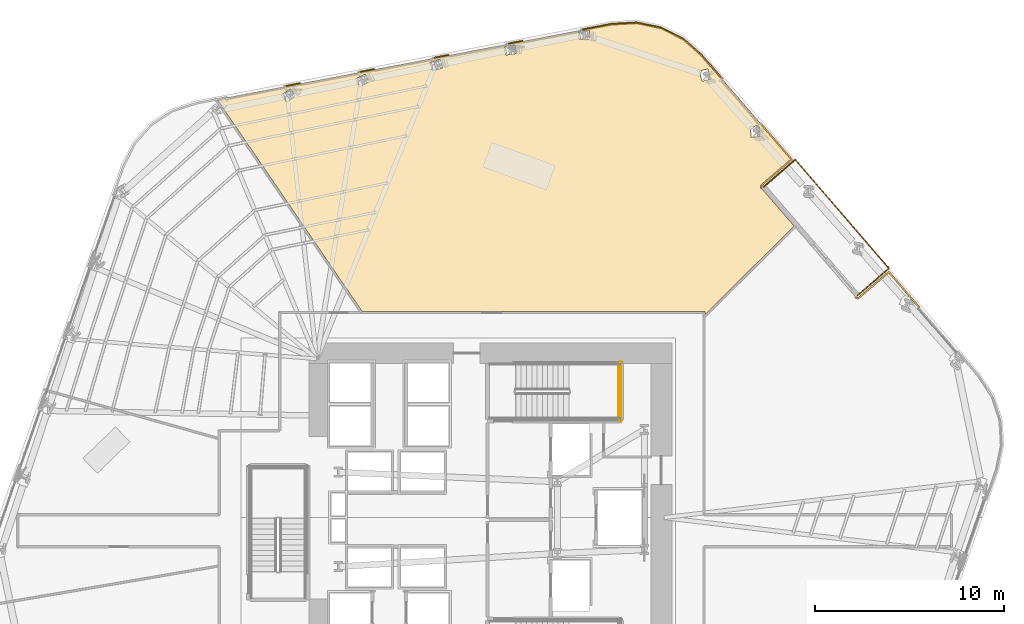
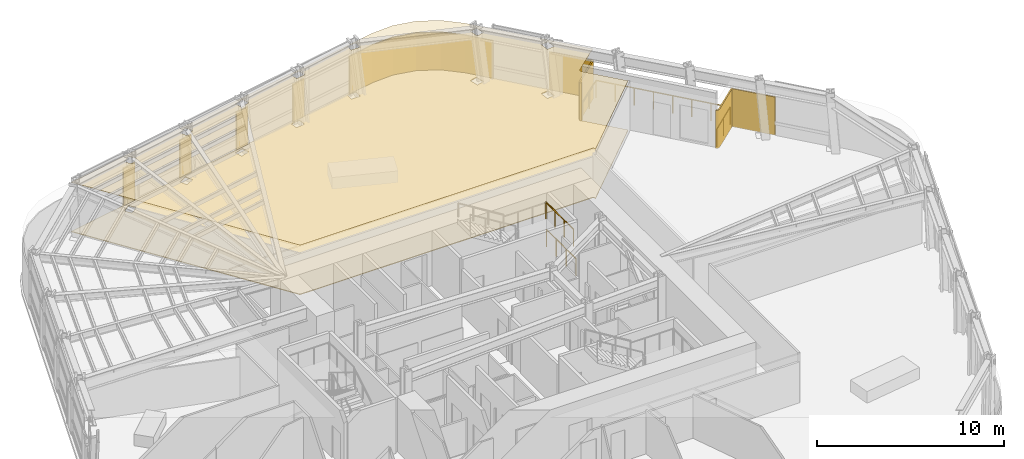
# One storey, part 17 of 18: 9 coverings, 5 railings.
"""IFC4 building model written with IfcOpenShell, lengths in metres."""

from ifc_helpers import new_model, si_unit, direction, frame, origin, origin_2d, place, context, subcontext, project, spatial, polyline, circle, outline, extrude, material, layer, layer_set, type_object, element, save


model = new_model("IFC4")

# Units and contexts
model_context = context("Model", 3, precision=1e-05, world=origin(), true_north=direction((0.0, 1.0)))
body_context = subcontext(model_context, "Body", "Model", "MODEL_VIEW")
ifc_project = project(units=[si_unit("LENGTHUNIT", "METRE"), si_unit("AREAUNIT", "SQUARE_METRE"), si_unit("VOLUMEUNIT", "CUBIC_METRE"), si_unit("PLANEANGLEUNIT", "RADIAN"), si_unit("MASSUNIT", "GRAM", prefix="KILO")], contexts=[model_context])

# Site, building, storey
site_placement = place(None, origin())
site = spatial("IfcSite", under=ifc_project, at=site_placement, CompositionType="ELEMENT")
building_placement = place(site_placement, origin())
building = spatial("IfcBuilding", under=site, at=building_placement, Name="Valkerne Bourse Tower", CompositionType="ELEMENT")
storey_placement = place(building_placement, frame((0.0, 0.0, 69.60009765625)))
storey = spatial("IfcBuildingStorey", under=building, at=storey_placement, Name="L17", CompositionType="ELEMENT", Elevation=69.60009765625)

# Coverings
ifc_material_1 = material(Name="Mineral Fiber Acoustic Ceiling Tile", Category="acoustic")
ifc_layer_1 = layer(ifc_material_1, 0.02490234375)
ifc_layer_set_1 = layer_set([ifc_layer_1], Name="Mineral Fiber Acoustic Ceiling Tile")
covering_type_1 = type_object("IfcCoveringType", Name="COV-CEIL-ACT", PredefinedType="CEILING", material=ifc_layer_set_1)
covering_1_placement = place(storey_placement, frame((0.0, 0.0, 3.22998046875)))
element("IfcCovering", 1, at=covering_1_placement, inside=storey, type_object=covering_type_1, Name="L17 Suspended Ceiling 09", PredefinedType="CEILING", context=body_context, shape_type="SweptSolid", body=[
    extrude(outline(polyline([(55.827392578125, 52.92333984375), (57.00634765625, 52.33056640625), (57.998779296875, 51.4462890625), (62.732421875, 45.96240234375), (61.175537109375, 44.618896484375), (61.14111328125, 44.57470703125), (61.1259765625, 44.506591796875), (61.13818359375, 44.45166015625), (61.160888671875, 44.416015625), (62.880126953125, 42.42431640625), (58.168701171875, 37.755126953125), (58.1650390625, 37.873779296875), (58.140869140625, 37.906005859375), (58.1005859375, 37.9189453125), (40.002685546875, 37.9189453125), (32.33251953125, 49.132080078125), (53.20849609375, 53.114501953125), (54.535400390625, 53.19091796875), (55.827392578125, 52.92333984375)]), holes=[polyline([(36.0205078125, 48.993896484375), (36.468017578125, 49.3203125), (36.198974609375, 49.6904296875), (36.19580078125, 49.68896484375), (35.748291015625, 49.362548828125), (36.017333984375, 48.992431640625), (36.0205078125, 48.993896484375)]), polyline([(39.880615234375, 49.81396484375), (40.374755859375, 50.064208984375), (40.168701171875, 50.47265625), (40.165283203125, 50.4716796875), (39.671142578125, 50.221435546875), (39.877197265625, 49.81298828125), (39.880615234375, 49.81396484375)]), polyline([(44.271484375, 50.80859375), (44.135986328125, 51.24560546875), (44.132568359375, 51.2451171875), (43.603759765625, 51.080078125), (43.739501953125, 50.64306640625), (43.742919921875, 50.6435546875), (44.271484375, 50.80859375)]), polyline([(48.16015625, 51.55810546875), (48.096435546875, 52.01123046875), (48.093017578125, 52.01123046875), (47.544677734375, 51.933349609375), (47.608154296875, 51.480224609375), (47.61181640625, 51.47998046875), (48.16015625, 51.55810546875)]), polyline([(52.048095703125, 52.773193359375), (52.044189453125, 52.77392578125), (51.490966796875, 52.7783203125), (51.486328125, 52.32080078125), (51.489990234375, 52.320068359375), (52.04345703125, 52.31591796875), (52.048095703125, 52.773193359375)]), polyline([(61.001953125, 47.72998046875), (60.9990234375, 47.73193359375), (60.54541015625, 47.6826171875), (60.602783203125, 47.13037109375), (60.605712890625, 47.128173828125), (61.05908203125, 47.177490234375), (61.001953125, 47.72998046875)]), polyline([(58.4423828125, 50.208251953125), (58.3037109375, 50.745849609375), (58.30029296875, 50.74755859375), (57.859375, 50.631103515625), (57.998046875, 50.093505859375), (58.00146484375, 50.091796875), (58.4423828125, 50.208251953125)])]), origin(), (0.0, 0.0, 1.0), 0.02490234375),
])
ifc_material_2 = material(Name="Bronze Anodised Aluminium AA 6063-T6", Category="aluminium")
ifc_layer_2 = layer(ifc_material_2, 0.06005859375)
ifc_layer_set_2 = layer_set([ifc_layer_2], Name="Bronze Anodised Aluminium AA 6063-T6")
covering_type_2 = type_object("IfcCoveringType", Name="COV-CRN-ALUM", PredefinedType="CLADDING", material=ifc_layer_set_2)
covering_2_placement = place(storey_placement, origin())
element("IfcCovering", 2, at=covering_2_placement, inside=storey, type_object=covering_type_2, Name="L17 Wind-Shaped Corner Aluminium Cladding 22", PredefinedType="CLADDING", context=body_context, shape_type="SweptSolid", body=[
    extrude(outline(polyline([(36.73486328125, 50.016845703125), (36.75, 49.938232421875), (35.9248046875, 49.78076171875), (35.90966796875, 49.859375), (36.73486328125, 50.016845703125)])), origin(), (0.0, 0.0, 1.0), 2.5),
])
covering_3_placement = place(storey_placement, origin())
element("IfcCovering", 3, at=covering_3_placement, inside=storey, type_object=covering_type_2, Name="L17 Wind-Shaped Corner Aluminium Cladding 23", PredefinedType="CLADDING", context=body_context, shape_type="SweptSolid", body=[
    extrude(outline(polyline([(40.659912109375, 50.765380859375), (40.675048828125, 50.68701171875), (39.849853515625, 50.529541015625), (39.8349609375, 50.608154296875), (40.659912109375, 50.765380859375)])), origin(), (0.0, 0.0, 1.0), 2.5),
])
covering_4_placement = place(storey_placement, origin())
element("IfcCovering", 4, at=covering_4_placement, inside=storey, type_object=covering_type_2, Name="L17 Wind-Shaped Corner Aluminium Cladding 24", PredefinedType="CLADDING", context=body_context, shape_type="SweptSolid", body=[
    extrude(outline(polyline([(44.585205078125, 51.514404296875), (44.60009765625, 51.435791015625), (43.775146484375, 51.2783203125), (43.760009765625, 51.35693359375), (44.585205078125, 51.514404296875)])), origin(), (0.0, 0.0, 1.0), 2.5),
])
covering_5_placement = place(storey_placement, origin())
element("IfcCovering", 5, at=covering_5_placement, inside=storey, type_object=covering_type_2, Name="L17 Wind-Shaped Corner Aluminium Cladding 25", PredefinedType="CLADDING", context=body_context, shape_type="SweptSolid", body=[
    extrude(outline(polyline([(48.510498046875, 52.26318359375), (48.525390625, 52.1845703125), (47.7001953125, 52.027099609375), (47.685302734375, 52.105712890625), (48.510498046875, 52.26318359375)])), origin(), (0.0, 0.0, 1.0), 2.5),
])
covering_6_placement = place(storey_placement, origin())
element("IfcCovering", 6, at=covering_6_placement, inside=storey, type_object=covering_type_2, Name="L17 Wind-Shaped Corner Aluminium Cladding 26", PredefinedType="CLADDING", context=body_context, shape_type="SweptSolid", body=[
    extrude(outline(polyline([(53.203125, 53.158203125), (54.53857421875, 53.2353515625), (55.842041015625, 52.96533203125), (57.03125, 52.3671875), (58.030029296875, 51.477294921875), (59.08935546875, 50.25), (59.02880859375, 50.19775390625), (57.972900390625, 51.421142578125), (56.98583984375, 52.300537109375), (55.815673828125, 52.88916015625), (54.53271484375, 53.15478515625), (53.212890625, 53.07861328125), (51.62548828125, 52.77587890625), (51.610595703125, 52.8544921875), (53.203125, 53.158203125)])), origin(), (0.0, 0.0, 1.0), 2.5),
])
covering_7_placement = place(storey_placement, origin())
element("IfcCovering", 7, at=covering_7_placement, inside=storey, type_object=covering_type_2, Name="L17 Wind-Shaped Corner Aluminium Cladding 27", PredefinedType="CLADDING", context=body_context, shape_type="SweptSolid", body=[
    extrude(outline(polyline([(62.79443359375, 45.9580078125), (61.20458984375, 44.585693359375), (61.197509765625, 44.578857421875), (61.191162109375, 44.571533203125), (61.185546875, 44.5634765625), (61.1806640625, 44.554931640625), (61.1767578125, 44.5458984375), (61.173583984375, 44.53662109375), (61.17138671875, 44.527099609375), (61.17041015625, 44.517333984375), (61.169921875, 44.507568359375), (61.1708984375, 44.497802734375), (61.17236328125, 44.488037109375), (61.175048828125, 44.478515625), (61.1787109375, 44.469482421875), (61.18310546875, 44.460693359375), (61.188232421875, 44.452392578125), (61.1943359375, 44.444580078125), (61.1337890625, 44.392333984375), (61.122802734375, 44.40625), (61.11328125, 44.421142578125), (61.10546875, 44.43701171875), (61.09912109375, 44.45361328125), (61.094482421875, 44.470458984375), (61.09130859375, 44.48779296875), (61.090087890625, 44.505615234375), (61.090576171875, 44.523193359375), (61.092529296875, 44.540771484375), (61.096435546875, 44.55810546875), (61.10205078125, 44.57470703125), (61.109130859375, 44.5908203125), (61.117919921875, 44.606201171875), (61.128173828125, 44.62060546875), (61.1396484375, 44.634033203125), (61.15234375, 44.646240234375), (62.681396484375, 45.966064453125), (61.091064453125, 47.80859375), (61.151611328125, 47.861083984375), (62.79443359375, 45.9580078125)])), origin(), (0.0, 0.0, 1.0), 2.5),
])
covering_8_placement = place(storey_placement, origin())
element("IfcCovering", 8, at=covering_8_placement, inside=storey, type_object=covering_type_2, Name="L17 Wind-Shaped Corner Aluminium Cladding 28", PredefinedType="CLADDING", context=body_context, shape_type="SweptSolid", body=[
    extrude(outline(polyline([(66.1669921875, 38.6845703125), (66.174560546875, 38.677978515625), (66.1826171875, 38.67236328125), (66.191162109375, 38.66748046875), (66.199951171875, 38.66357421875), (66.20947265625, 38.660400390625), (66.218994140625, 38.658447265625), (66.228759765625, 38.6572265625), (66.238525390625, 38.656982421875), (66.248291015625, 38.65771484375), (66.2578125, 38.6591796875), (66.267333984375, 38.662109375), (66.276611328125, 38.66552734375), (66.285400390625, 38.669921875), (66.293701171875, 38.67529296875), (66.30126953125, 38.68115234375), (67.89111328125, 40.053466796875), (69.53369140625, 38.150146484375), (69.47314453125, 38.097900390625), (67.8828125, 39.9404296875), (66.353515625, 38.62060546875), (66.339599609375, 38.60986328125), (66.32470703125, 38.600341796875), (66.30908203125, 38.59228515625), (66.29248046875, 38.5859375), (66.275390625, 38.581298828125), (66.258056640625, 38.578369140625), (66.240478515625, 38.576904296875), (66.222900390625, 38.577392578125), (66.205322265625, 38.57958984375), (66.18798828125, 38.58349609375), (66.17138671875, 38.5888671875), (66.155029296875, 38.59619140625), (66.139892578125, 38.604736328125), (66.125244140625, 38.614990234375), (66.11181640625, 38.62646484375), (66.099609375, 38.639404296875), (66.160400390625, 38.691650390625), (66.1669921875, 38.6845703125)])), origin(), (0.0, 0.0, 1.0), 2.5),
])
ifc_material_3 = material(Name="Galvanised Painted Steel", Category="steel")
ifc_layer_3 = layer(ifc_material_3, 0.044921875)
ifc_layer_set_3 = layer_set([ifc_layer_3], Name="Galvanised Painted Steel")
covering_type_3 = type_object("IfcCoveringType", Name="COV-FLR-RAF", PredefinedType="FLOORING", material=ifc_layer_set_3)
covering_9_placement = place(storey_placement, origin())
element("IfcCovering", 9, at=covering_9_placement, inside=storey, type_object=covering_type_3, Name="L17 Floor Finish 09", PredefinedType="FLOORING", context=body_context, shape_type="SweptSolid", body=[
    extrude(outline(polyline([(55.827392578125, 52.92333984375), (57.00634765625, 52.33056640625), (57.998779296875, 51.4462890625), (62.732421875, 45.96240234375), (61.175537109375, 44.618896484375), (61.14111328125, 44.57470703125), (61.1259765625, 44.506591796875), (61.13818359375, 44.45166015625), (61.160888671875, 44.416015625), (62.880126953125, 42.42431640625), (58.168701171875, 37.755126953125), (58.1650390625, 37.873779296875), (58.140869140625, 37.906005859375), (58.1005859375, 37.9189453125), (40.002685546875, 37.9189453125), (32.33251953125, 49.132080078125), (53.20849609375, 53.114501953125), (54.535400390625, 53.19091796875), (55.827392578125, 52.92333984375)]), holes=[polyline([(36.0205078125, 48.993896484375), (36.468017578125, 49.3203125), (36.198974609375, 49.6904296875), (36.19580078125, 49.68896484375), (35.748291015625, 49.362548828125), (36.017333984375, 48.992431640625), (36.0205078125, 48.993896484375)]), polyline([(39.880615234375, 49.81396484375), (40.374755859375, 50.064208984375), (40.168701171875, 50.47265625), (40.165283203125, 50.4716796875), (39.671142578125, 50.221435546875), (39.877197265625, 49.81298828125), (39.880615234375, 49.81396484375)]), polyline([(44.271484375, 50.80859375), (44.135986328125, 51.24560546875), (44.132568359375, 51.2451171875), (43.603759765625, 51.080078125), (43.739501953125, 50.64306640625), (43.742919921875, 50.6435546875), (44.271484375, 50.80859375)]), polyline([(48.16015625, 51.55810546875), (48.096435546875, 52.01123046875), (48.093017578125, 52.01123046875), (47.544677734375, 51.933349609375), (47.608154296875, 51.480224609375), (47.61181640625, 51.47998046875), (48.16015625, 51.55810546875)]), polyline([(52.048095703125, 52.773193359375), (52.044189453125, 52.77392578125), (51.490966796875, 52.7783203125), (51.486328125, 52.32080078125), (51.489990234375, 52.320068359375), (52.04345703125, 52.31591796875), (52.048095703125, 52.773193359375)]), polyline([(61.001953125, 47.72998046875), (60.9990234375, 47.73193359375), (60.54541015625, 47.6826171875), (60.602783203125, 47.13037109375), (60.605712890625, 47.128173828125), (61.05908203125, 47.177490234375), (61.001953125, 47.72998046875)]), polyline([(58.4423828125, 50.208251953125), (58.3037109375, 50.745849609375), (58.30029296875, 50.74755859375), (57.859375, 50.631103515625), (57.998046875, 50.093505859375), (58.00146484375, 50.091796875), (58.4423828125, 50.208251953125)])]), origin(), (0.0, 0.0, 1.0), 0.044921875),
])

# Railings
ifc_material_4 = material(Name="Laminated Tempered Safety Glass", Category="glass")
railing_type_1 = type_object("IfcRailingType", Name="RLG-GUARD-1150", PredefinedType="BALUSTRADE", material=ifc_material_4)
railing_1_placement = place(storey_placement, frame((67.9013671875, 40.1943359375, 0.0)))
element("IfcRailing", 10, at=railing_1_placement, inside=storey, type_object=railing_type_1, Name="L17 V-Notch Terrace Glass Balustrade 1", PredefinedType="BALUSTRADE", context=body_context, shape_type="SweptSolid", body=[
    extrude(circle(Radius=0.02392578125, at=origin_2d()), frame((0.0, 0.0, 1.1259765625), z_axis=(-0.756980193613, -0.653437821432, 0.0), x_axis=(0.653437821432, -0.756980193613, 0.0)), (0.0, 0.0, 1.0), 2.199951171875),
    extrude(circle(Radius=0.02099609375, at=origin_2d()), origin(), (0.0, 0.0, 1.0), 1.101806640625),
    extrude(circle(Radius=0.02099609375, at=origin_2d()), frame((-0.83251953125, -0.71875, 0.0)), (0.0, 0.0, 1.0), 1.101806640625),
    extrude(circle(Radius=0.02099609375, at=origin_2d()), frame((-1.665283203125, -1.4375, 0.0)), (0.0, 0.0, 1.0), 1.101806640625),
])
railing_2_placement = place(storey_placement, frame((61.27001953125, 44.510009765625, 0.0)))
element("IfcRailing", 11, at=railing_2_placement, inside=storey, type_object=railing_type_1, Name="L17 V-Notch Terrace Glass Balustrade 2", PredefinedType="BALUSTRADE", context=body_context, shape_type="SweptSolid", body=[
    extrude(circle(Radius=0.02392578125, at=origin_2d()), frame((0.0, 0.0, 1.1259765625), z_axis=(0.756980193613, 0.653437821432, 0.0), x_axis=(-0.653437821432, 0.756980193613, 0.0)), (0.0, 0.0, 1.0), 2.199951171875),
    extrude(circle(Radius=0.02099609375, at=origin_2d()), origin(), (0.0, 0.0, 1.0), 1.101806640625),
    extrude(circle(Radius=0.02099609375, at=origin_2d()), frame((0.83251953125, 0.71875, 0.0)), (0.0, 0.0, 1.0), 1.101806640625),
    extrude(circle(Radius=0.02099609375, at=origin_2d()), frame((1.665283203125, 1.4375, 0.0)), (0.0, 0.0, 1.0), 1.101806640625),
])
railing_3_placement = place(storey_placement, frame((62.935302734375, 45.947509765625, 0.0)))
element("IfcRailing", 12, at=railing_3_placement, inside=storey, type_object=railing_type_1, Name="L17 V-Notch Terrace Glass Balustrade 3", PredefinedType="BALUSTRADE", context=body_context, shape_type="SweptSolid", body=[
    extrude(circle(Radius=0.02392578125, at=origin_2d()), frame((0.0, 0.0, 1.1259765625), z_axis=(0.653424978527, -0.756991279631, 0.0), x_axis=(0.756991279631, 0.653424978527, 0.0)), (0.0, 0.0, 1.0), 7.60009765625),
    extrude(circle(Radius=0.02099609375, at=origin_2d()), origin(), (0.0, 0.0, 1.0), 1.101806640625),
    extrude(circle(Radius=0.02099609375, at=origin_2d()), frame((0.70947265625, -0.82177734375, 0.0)), (0.0, 0.0, 1.0), 1.101806640625),
    extrude(circle(Radius=0.02099609375, at=origin_2d()), frame((1.4189453125, -1.643798828125, 0.0)), (0.0, 0.0, 1.0), 1.101806640625),
    extrude(circle(Radius=0.02099609375, at=origin_2d()), frame((2.12841796875, -2.465576171875, 0.0)), (0.0, 0.0, 1.0), 1.101806640625),
    extrude(circle(Radius=0.02099609375, at=origin_2d()), frame((2.837646484375, -3.28759765625, 0.0)), (0.0, 0.0, 1.0), 1.101806640625),
    extrude(circle(Radius=0.02099609375, at=origin_2d()), frame((3.547119140625, -4.109375, 0.0)), (0.0, 0.0, 1.0), 1.101806640625),
    extrude(circle(Radius=0.02099609375, at=origin_2d()), frame((4.256591796875, -4.931396484375, 0.0)), (0.0, 0.0, 1.0), 1.101806640625),
    extrude(circle(Radius=0.02099609375, at=origin_2d()), frame((4.966064453125, -5.753173828125, 0.0)), (0.0, 0.0, 1.0), 1.101806640625),
])
railing_type_2 = type_object("IfcRailingType", Name="RLG-ST-GUARD-1120", PredefinedType="GUARDRAIL", material=ifc_material_3)
railing_4_placement = place(storey_placement, frame((53.60009765625, 32.199951171875, 1.89990234375)))
element("IfcRailing", 13, at=railing_4_placement, inside=storey, type_object=railing_type_2, Name="L17 ST-2 stair guard 5", PredefinedType="GUARDRAIL", context=body_context, shape_type="SweptSolid", body=[
    extrude(circle(Radius=0.02392578125, at=origin_2d()), frame((0.0, 0.0, 1.09619140625), z_axis=(0.0, 1.0, 0.0), x_axis=(-1.0, 0.0, 0.0)), (0.0, 0.0, 1.0), 2.949951171875),
    extrude(circle(Radius=0.02099609375, at=origin_2d()), origin(), (0.0, 0.0, 1.0), 1.072021484375),
    extrude(circle(Radius=0.02099609375, at=origin_2d()), frame((0.0, 0.9833984375, 0.0)), (0.0, 0.0, 1.0), 1.072021484375),
    extrude(circle(Radius=0.02099609375, at=origin_2d()), frame((0.0, 1.966552734375, 0.0)), (0.0, 0.0, 1.0), 1.072021484375),
    extrude(circle(Radius=0.02099609375, at=origin_2d()), frame((0.0, 2.949951171875, 0.0)), (0.0, 0.0, 1.0), 1.072021484375),
])
railing_5_placement = place(storey_placement, frame((53.699951171875, 32.10009765625, 0.0)))
element("IfcRailing", 14, at=railing_5_placement, inside=storey, type_object=railing_type_2, Name="L17 ST-2 stair guard 12", PredefinedType="GUARDRAIL", context=body_context, shape_type="SweptSolid", body=[
    extrude(circle(Radius=0.02392578125, at=origin_2d()), frame((0.0, 0.0, 1.09619140625), z_axis=(0.0, 1.0, 0.0), x_axis=(-1.0, 0.0, 0.0)), (0.0, 0.0, 1.0), 3.14990234375),
    extrude(circle(Radius=0.02099609375, at=origin_2d()), origin(), (0.0, 0.0, 1.0), 1.072021484375),
    extrude(circle(Radius=0.02099609375, at=origin_2d()), frame((0.0, 1.050048828125, 0.0)), (0.0, 0.0, 1.0), 1.072021484375),
    extrude(circle(Radius=0.02099609375, at=origin_2d()), frame((0.0, 2.099853515625, 0.0)), (0.0, 0.0, 1.0), 1.072021484375),
    extrude(circle(Radius=0.02099609375, at=origin_2d()), frame((0.0, 3.14990234375, 0.0)), (0.0, 0.0, 1.0), 1.072021484375),
])

save(model, "model.ifc")
